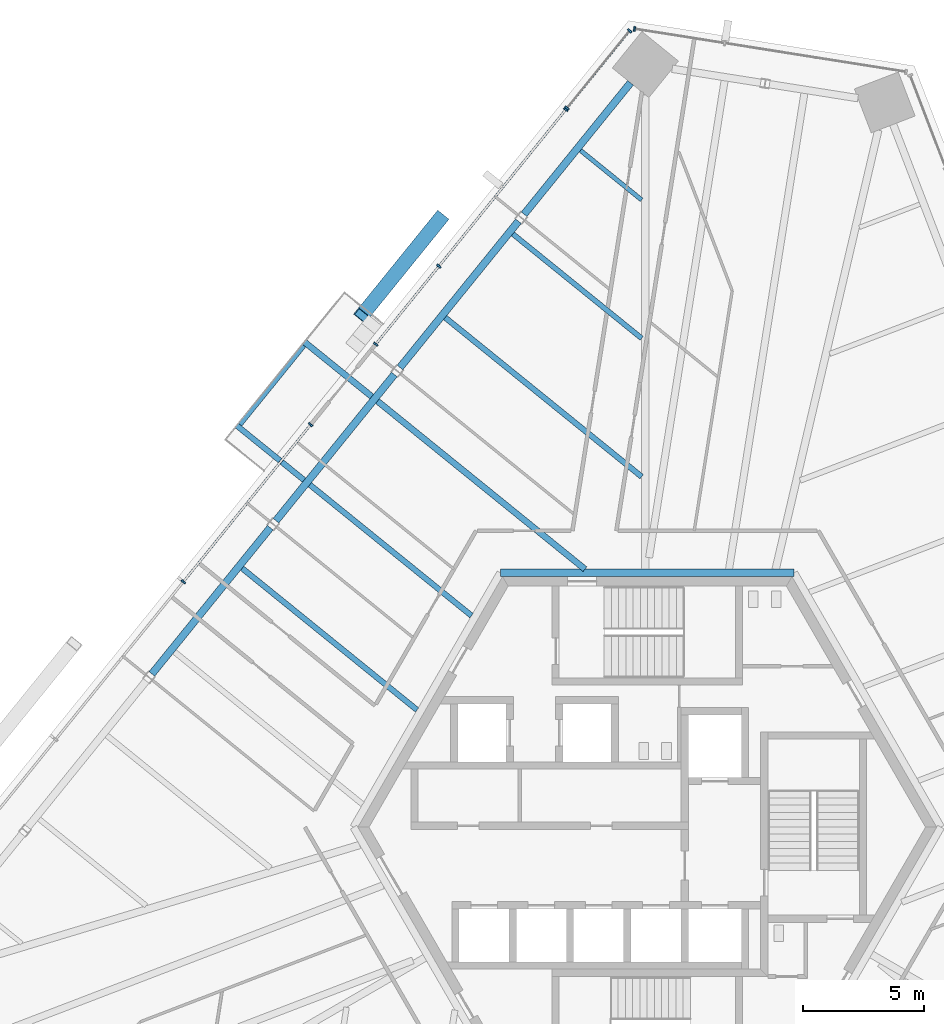
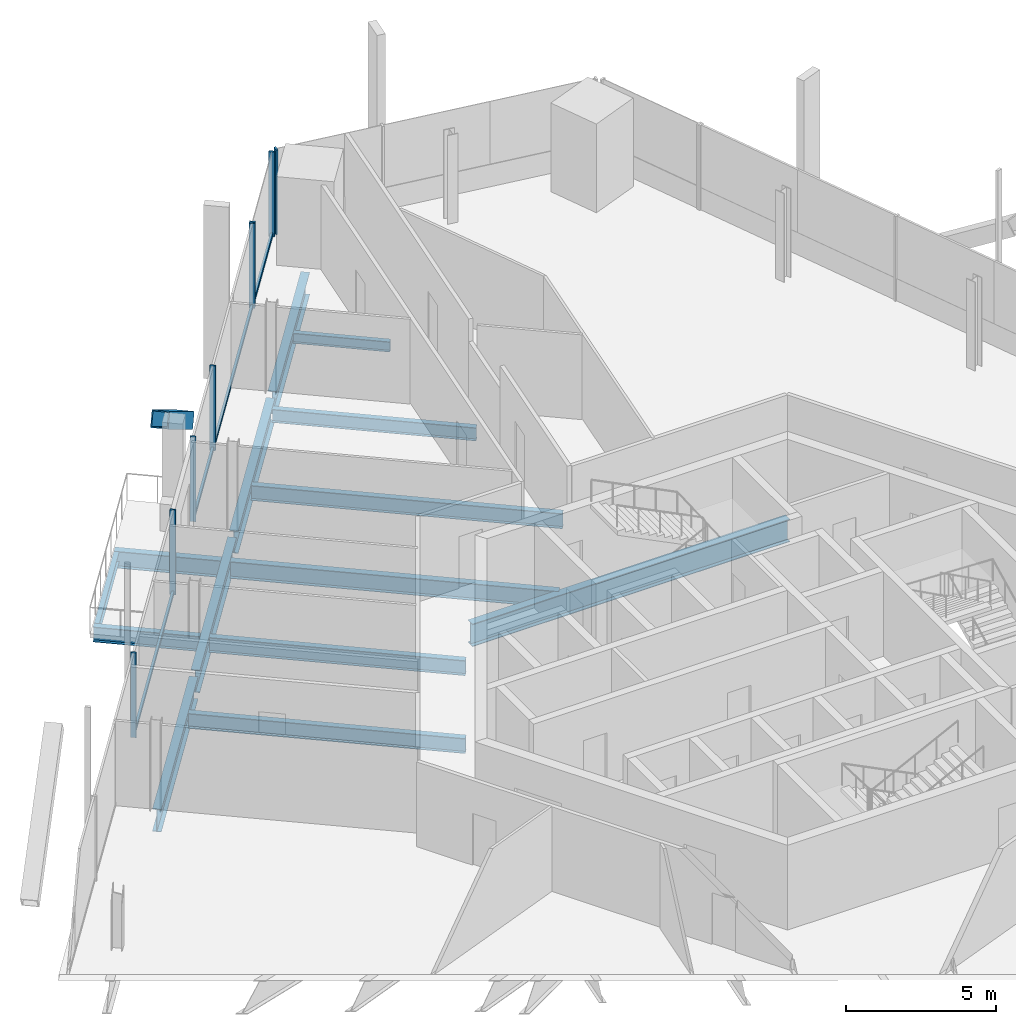
# One storey, part 8 of 21: 14 beams, 13 members, 4 elements without a shape of their own.
"""IFC4 building model written with IfcOpenShell, lengths in metres."""

from ifc_helpers import new_model, si_unit, direction, frame, origin, origin_2d, place, context, subcontext, project, spatial, rectangle, hollow_rectangle, i_section, extrude, source, transform, mapped, material, material_profile, profile_set, type_object, element, aggregate, save


model = new_model("IFC4")

# Units and contexts
model_context = context("Model", 3, precision=1e-05, world=origin(), true_north=direction((0.0, 1.0)))
body_context = subcontext(model_context, "Body", "Model", "MODEL_VIEW")
ifc_project = project(units=[si_unit("LENGTHUNIT", "METRE"), si_unit("AREAUNIT", "SQUARE_METRE"), si_unit("VOLUMEUNIT", "CUBIC_METRE"), si_unit("PLANEANGLEUNIT", "RADIAN"), si_unit("MASSUNIT", "GRAM", prefix="KILO")], contexts=[model_context])

# Site, building, storey
site_placement = place(None, origin())
site = spatial("IfcSite", under=ifc_project, at=site_placement, CompositionType="ELEMENT")
building_placement = place(site_placement, origin())
building = spatial("IfcBuilding", under=site, at=building_placement, Name="Triune Harvest Tower", CompositionType="ELEMENT")
storey_placement = place(building_placement, frame((0.0, 0.0, 146.10009765625)))
storey = spatial("IfcBuildingStorey", under=building, at=storey_placement, Name="L37", CompositionType="ELEMENT", Elevation=146.10009765625)

# Curtain wall, member
ifc_material_1 = material(Name="Aluminium bronze anodised", Category="aluminium")
curtain_wall_type_1 = type_object("IfcCurtainWallType", Name="CW-10 Balcony window wall with insulated spandrel infill", PredefinedType="NOTDEFINED", material=ifc_material_1)
curtain_wall_1_placement = place(storey_placement, origin())
curtain_wall_1 = element("IfcCurtainWall", 1, at=curtain_wall_1_placement, inside=storey, type_object=curtain_wall_type_1, Name="CW-10 B4-F3 L37 run 1001")
ifc_material_2 = material(Name="Aluminium bronze anodised", Category="aluminium")
ifc_material_profile_1 = material_profile(ifc_material_2, rectangle(XDim=0.090087890625, YDim=0.14990234375, at=origin_2d()), Name="TR-6 transom 90 x 150")
ifc_profile_set_1 = profile_set([ifc_material_profile_1], Name="Aluminium bronze anodised")
member_type_1 = type_object("IfcMemberType", Name="TR-6 transom 90 x 150", PredefinedType="USERDEFINED", material=ifc_profile_set_1)
member_1_placement = place(storey_placement, frame((-8.660888671875, 23.23095703125, 0.074951171875), z_axis=(-0.629354631927, -0.777118232492, 0.0), x_axis=(0.777118232492, -0.629354631927, 0.0)))
member_1 = element("IfcMember", 2, at=member_1_placement, type_object=member_type_1, Name="CW-10 transom B4-F3 1001.2", ObjectType="TRANSOM", PredefinedType="USERDEFINED", context=body_context, shape_type="SweptSolid", body=[
    extrude(rectangle(XDim=0.090087890625, YDim=0.14990234375, at=origin_2d()), origin(), (0.0, 0.0, 1.0), 4.0859375),
])

# Beams
ifc_material_3 = material(Name="Steel ASTM A992 Gr 50", Category="steel")
ifc_material_profile_2 = material_profile(ifc_material_3, i_section(OverallWidth=0.3046875, OverallDepth=0.914306640625, WebThickness=0.0166015625, FlangeThickness=0.02587890625, at=origin_2d()), Name="W36x160")
ifc_profile_set_2 = profile_set([ifc_material_profile_2], Name="Steel ASTM A992 Gr 50")
beam_type_1 = type_object("IfcBeamType", Name="CG-1 Core ring girder W36x160", PredefinedType="BEAM", material=ifc_profile_set_2)
shared_shape_1 = source(origin(), body_context, "Body", "SweptSolid", [
    extrude(i_section(OverallWidth=0.3046875, OverallDepth=0.914306640625, WebThickness=0.0166015625, FlangeThickness=0.02587890625, at=origin_2d()), origin(), (0.0, 0.0, 1.0), 12.17578125),
])
beam_1_placement = place(storey_placement, frame((6.087890625, 10.544677734375, -0.6171875), z_axis=(-1.0, 0.0, 0.0), x_axis=(0.0, -1.0, 0.0)))
element("IfcBeam", 3, at=beam_1_placement, inside=storey, type_object=beam_type_1, Name="beam/L37/CG2", PredefinedType="BEAM", context=body_context, shape_type="MappedRepresentation", body=[
    mapped(shared_shape_1, transform((0.0, 0.0, 0.0), scale=1.0)),
])
ifc_material_4 = material(Name="Steel ASTM A992 Gr 50", Category="steel")
ifc_material_profile_3 = material_profile(ifc_material_4, i_section(OverallWidth=0.3046875, OverallDepth=0.914306640625, WebThickness=0.0166015625, FlangeThickness=0.02587890625, at=origin_2d()), Name="W36x160")
ifc_profile_set_3 = profile_set([ifc_material_profile_3], Name="Steel ASTM A992 Gr 50")
beam_type_2 = type_object("IfcBeamType", Name="SB-1 Spandrel beam W36x160", PredefinedType="SPANDREL", material=ifc_profile_set_3)
shared_shape_2 = source(origin(), body_context, "Body", "SweptSolid", [
    extrude(i_section(OverallWidth=0.3046875, OverallDepth=0.914306640625, WebThickness=0.0166015625, FlangeThickness=0.02587890625, at=origin_2d()), origin(), (0.0, 0.0, 1.0), 7.013427734375),
])
beam_2_placement = place(storey_placement, frame((-0.69287109375, 30.8642578125, -0.6171875), z_axis=(-0.629311381255, -0.777153257358, 0.0), x_axis=(0.777153257358, -0.629311381255, 0.0)))
element("IfcBeam", 4, at=beam_2_placement, inside=storey, type_object=beam_type_2, Name="beam/L37/SB9", PredefinedType="SPANDREL", context=body_context, shape_type="MappedRepresentation", body=[
    mapped(shared_shape_2, transform((0.0, 0.0, 0.0), scale=1.0)),
])
shared_shape_3 = source(origin(), body_context, "Body", "SweptSolid", [
    extrude(i_section(OverallWidth=0.3046875, OverallDepth=0.914306640625, WebThickness=0.0166015625, FlangeThickness=0.02587890625, at=origin_2d()), origin(), (0.0, 0.0, 1.0), 7.801513671875),
])
for number, where, z_axis, x_axis, name in (
    (5, (-5.34130859375, 25.12353515625, -0.6171875), (-0.629351256413, -0.777120966163, 0.0), (0.777120966163, -0.629351256413, 0.0), "beam/L37/SB10"),
    (6, (-10.486083984375, 18.7705078125, -0.6171875), (-0.629317051779, -0.777148665533, 0.0), (0.777148665533, -0.629317051779, 0.0), "beam/L37/SB11"),
    (7, (-15.630859375, 12.417236328125, -0.6171875), (-0.629317051779, -0.777148665533, 0.0), (0.777148665533, -0.629317051779, 0.0), "beam/L37/SB12"),
):
    element("IfcBeam", number, at=place(storey_placement, frame(where, z_axis=z_axis, x_axis=x_axis)), inside=storey, type_object=beam_type_2, Name=name, PredefinedType="SPANDREL", context=body_context, shape_type="MappedRepresentation", body=[
        mapped(shared_shape_3, transform((0.0, 0.0, 0.0), scale=1.0)),
    ])
ifc_material_5 = material(Name="Steel ASTM A992 Gr 50", Category="steel")
ifc_material_profile_4 = material_profile(ifc_material_5, i_section(OverallWidth=0.22900390625, OverallDepth=0.612060546875, WebThickness=0.011962890625, FlangeThickness=0.01953125, at=origin_2d()), Name="W24x84")
ifc_profile_set_4 = profile_set([ifc_material_profile_4], Name="Steel ASTM A992 Gr 50")
beam_type_3 = type_object("IfcBeamType", Name="JT-3 Floor joist W24x84", PredefinedType="JOIST", material=ifc_profile_set_4)
shared_shape_4 = source(origin(), body_context, "Body", "SweptSolid", [
    extrude(i_section(OverallWidth=0.22900390625, OverallDepth=0.612060546875, WebThickness=0.011962890625, FlangeThickness=0.01953125, at=origin_2d()), origin(), (0.0, 0.0, 1.0), 10.482666015625),
])
beam_3_placement = place(storey_placement, frame((-8.37939453125, 21.1298828125, -0.46630859375), z_axis=(0.777144521909, -0.62932216874, 0.0), x_axis=(0.62932216874, 0.777144521909, 0.0)))
element("IfcBeam", 8, at=beam_3_placement, inside=storey, type_object=beam_type_3, Name="beam/L37/JT15", PredefinedType="JOIST", context=body_context, shape_type="MappedRepresentation", body=[
    mapped(shared_shape_4, transform((0.0, 0.0, 0.0), scale=1.0)),
])
ifc_material_6 = material(Name="Steel ASTM A992 Gr 50", Category="steel")
ifc_material_profile_5 = material_profile(ifc_material_6, i_section(OverallWidth=0.180908203125, OverallDepth=0.41650390625, WebThickness=0.010986328125, FlangeThickness=0.01806640625, at=origin_2d()), Name="W16x57")
ifc_profile_set_5 = profile_set([ifc_material_profile_5], Name="Steel ASTM A992 Gr 50")
beam_type_4 = type_object("IfcBeamType", Name="JT-1 Floor joist W16x57", PredefinedType="JOIST", material=ifc_profile_set_5)
shared_shape_5 = source(origin(), body_context, "Body", "SweptSolid", [
    extrude(i_section(OverallWidth=0.180908203125, OverallDepth=0.41650390625, WebThickness=0.010986328125, FlangeThickness=0.01806640625, at=origin_2d()), origin(), (0.0, 0.0, 1.0), 3.2607421875),
])
beam_4_placement = place(storey_placement, frame((-2.76708984375, 28.060546875, -0.368408203125), z_axis=(0.777166403411, -0.6292951465, 0.0), x_axis=(0.6292951465, 0.777166403411, 0.0)))
element("IfcBeam", 9, at=beam_4_placement, inside=storey, type_object=beam_type_4, Name="beam/L37/JT13", PredefinedType="JOIST", context=body_context, shape_type="MappedRepresentation", body=[
    mapped(shared_shape_5, transform((0.0, 0.0, 0.0), scale=1.0)),
])
ifc_material_7 = material(Name="Steel ASTM A992 Gr 50", Category="steel")
ifc_material_profile_6 = material_profile(ifc_material_7, i_section(OverallWidth=0.2099609375, OverallDepth=0.535888671875, WebThickness=0.010986328125, FlangeThickness=0.017333984375, at=origin_2d()), Name="W21x68")
ifc_profile_set_6 = profile_set([ifc_material_profile_6], Name="Steel ASTM A992 Gr 50")
beam_type_5 = type_object("IfcBeamType", Name="JT-2 Floor joist W21x68", PredefinedType="JOIST", material=ifc_profile_set_6)
shared_shape_6 = source(origin(), body_context, "Body", "SweptSolid", [
    extrude(i_section(OverallWidth=0.2099609375, OverallDepth=0.535888671875, WebThickness=0.010986328125, FlangeThickness=0.017333984375, at=origin_2d()), origin(), (0.0, 0.0, 1.0), 6.87158203125),
])
beam_5_placement = place(storey_placement, frame((-5.572998046875, 24.59521484375, -0.427978515625), z_axis=(0.777135642445, -0.629333133755, 0.0), x_axis=(0.629333133755, 0.777135642445, 0.0)))
element("IfcBeam", 10, at=beam_5_placement, inside=storey, type_object=beam_type_5, Name="beam/L37/JT14", PredefinedType="JOIST", context=body_context, shape_type="MappedRepresentation", body=[
    mapped(shared_shape_6, transform((0.0, 0.0, 0.0), scale=1.0)),
])
ifc_material_8 = material(Name="Steel ASTM A992 Gr 50", Category="steel")
ifc_material_profile_7 = material_profile(ifc_material_8, i_section(OverallWidth=0.253662109375, OverallDepth=0.683349609375, WebThickness=0.012451171875, FlangeThickness=0.01904296875, at=origin_2d()), Name="W27x94")
ifc_profile_set_7 = profile_set([ifc_material_profile_7], Name="Steel ASTM A992 Gr 50")
beam_type_6 = type_object("IfcBeamType", Name="JT-4 Floor joist W27x94", PredefinedType="JOIST", material=ifc_profile_set_7)
shared_shape_7 = source(origin(), body_context, "Body", "SweptSolid", [
    extrude(i_section(OverallWidth=0.253662109375, OverallDepth=0.683349609375, WebThickness=0.012451171875, FlangeThickness=0.01904296875, at=origin_2d()), origin(), (0.0, 0.0, 1.0), 11.0712890625),
])
beam_6_placement = place(storey_placement, frame((-11.185546875, 17.66455078125, -0.501708984375), z_axis=(0.777139586487, -0.6293282634, 0.0), x_axis=(0.6293282634, 0.777139586487, 0.0)))
element("IfcBeam", 11, at=beam_6_placement, inside=storey, type_object=beam_type_6, Name="beam/L37/JT16", PredefinedType="JOIST", context=body_context, shape_type="MappedRepresentation", body=[
    mapped(shared_shape_7, transform((0.0, 0.0, 0.0), scale=1.0)),
])
shared_shape_8 = source(origin(), body_context, "Body", "SweptSolid", [
    extrude(i_section(OverallWidth=0.22900390625, OverallDepth=0.612060546875, WebThickness=0.011962890625, FlangeThickness=0.01953125, at=origin_2d()), origin(), (0.0, 0.0, 1.0), 8.6259765625),
])
beam_7_placement = place(storey_placement, frame((-13.99169921875, 14.19921875, -0.46630859375), z_axis=(0.777146653343, -0.629319536641, 0.0), x_axis=(0.629319536641, 0.777146653343, 0.0)))
element("IfcBeam", 12, at=beam_7_placement, inside=storey, type_object=beam_type_3, Name="beam/L37/JT17", PredefinedType="JOIST", context=body_context, shape_type="MappedRepresentation", body=[
    mapped(shared_shape_8, transform((0.0, 0.0, 0.0), scale=1.0)),
])
shared_shape_9 = source(origin(), body_context, "Body", "SweptSolid", [
    extrude(i_section(OverallWidth=0.22900390625, OverallDepth=0.612060546875, WebThickness=0.011962890625, FlangeThickness=0.01953125, at=origin_2d()), origin(), (0.0, 0.0, 1.0), 9.33251953125),
])
beam_8_placement = place(storey_placement, frame((-16.798095703125, 10.73388671875, -0.46630859375), z_axis=(0.777149214732, -0.629316373568, 0.0), x_axis=(0.629316373568, 0.777149214732, 0.0)))
element("IfcBeam", 13, at=beam_8_placement, inside=storey, type_object=beam_type_3, Name="beam/L37/JT18", PredefinedType="JOIST", context=body_context, shape_type="MappedRepresentation", body=[
    mapped(shared_shape_9, transform((0.0, 0.0, 0.0), scale=1.0)),
])

# Member
ifc_material_9 = material(Name="Steel ASTM A572 Gr 50", Category="steel")
ifc_material_profile_8 = material_profile(ifc_material_9, hollow_rectangle(XDim=0.60009765625, YDim=0.60009765625, WallThickness=0.0400390625, at=origin_2d()), Name="Box 600x600x40")
ifc_profile_set_8 = profile_set([ifc_material_profile_8], Name="Steel ASTM A572 Gr 50")
member_type_2 = type_object("IfcMemberType", Name="BR-2 Brace Box 600x600x40", PredefinedType="BRACE", material=ifc_profile_set_8)
shared_shape_10 = source(origin(), body_context, "Body", "SweptSolid", [
    extrude(hollow_rectangle(XDim=0.60009765625, YDim=0.60009765625, WallThickness=0.0400390625, at=origin_2d()), origin(), (0.0, 0.0, 1.0), 6.328857421875),
])
member_2_placement = place(storey_placement, frame((-8.56103515625, 25.26123046875, 0.0), z_axis=(-0.517601864929, -0.639190855706, 0.568791138647), x_axis=(0.777148746815, -0.629316951404, 0.0)))
element("IfcMember", 14, at=member_2_placement, inside=storey, type_object=member_type_2, Name="brace/B4-F3/d1/3", PredefinedType="BRACE", context=body_context, shape_type="MappedRepresentation", body=[
    mapped(shared_shape_10, transform((0.0, 0.0, 0.0), scale=1.0)),
])

# Curtain wall, member
ifc_material_10 = material(Name="Aluminium bronze anodised", Category="aluminium")
curtain_wall_type_2 = type_object("IfcCurtainWallType", Name="CW-1 Tower stick curtain wall", PredefinedType="NOTDEFINED", material=ifc_material_10)
curtain_wall_2_placement = place(storey_placement, origin())
curtain_wall_2 = element("IfcCurtainWall", 15, at=curtain_wall_2_placement, inside=storey, type_object=curtain_wall_type_2, Name="CW-1 B4-F2 L37 run 1")
ifc_material_11 = material(Name="Aluminium bronze anodised", Category="aluminium")
ifc_material_profile_9 = material_profile(ifc_material_11, rectangle(XDim=0.199951171875, YDim=0.074951171875, at=origin_2d()), Name="MU-1 mullion 75 x 200")
ifc_profile_set_9 = profile_set([ifc_material_profile_9], Name="Aluminium bronze anodised")
member_type_3 = type_object("IfcMemberType", Name="MU-1 mullion 75 x 200", PredefinedType="MULLION", material=ifc_profile_set_9)
shared_shape_11 = source(origin(), body_context, "Body", "SweptSolid", [
    extrude(rectangle(XDim=0.199951171875, YDim=0.074951171875, at=origin_2d()), origin(), (0.0, 0.0, 1.0), 3.43994140625),
])
member_3_placement = place(storey_placement, frame((-0.528076171875, 33.09912109375, 0.0), z_axis=(0.0, 0.0, 1.0), x_axis=(-0.156432728322, -0.987688615663, 0.0)))
member_3 = element("IfcMember", 16, at=member_3_placement, type_object=member_type_3, Name="CW-1 mullion B4-F2 1.4", PredefinedType="MULLION", context=body_context, shape_type="MappedRepresentation", body=[
    mapped(shared_shape_11, transform((0.0, 0.0, 0.0), scale=1.0)),
])
aggregate(curtain_wall_2, [member_3])

# Curtain wall, members
ifc_material_12 = material(Name="Aluminium bronze anodised", Category="aluminium")
curtain_wall_type_3 = type_object("IfcCurtainWallType", Name="CW-6 Balcony window wall", PredefinedType="NOTDEFINED", material=ifc_material_12)
curtain_wall_3_placement = place(storey_placement, origin())
curtain_wall_3 = element("IfcCurtainWall", 17, at=curtain_wall_3_placement, inside=storey, type_object=curtain_wall_type_3, Name="CW-6 B4-F3 L37 run 1")
ifc_material_13 = material(Name="Aluminium bronze anodised", Category="aluminium")
ifc_material_profile_10 = material_profile(ifc_material_13, rectangle(XDim=0.199951171875, YDim=0.074951171875, at=origin_2d()), Name="MU-6 mullion 75 x 200")
ifc_profile_set_10 = profile_set([ifc_material_profile_10], Name="Aluminium bronze anodised")
member_type_4 = type_object("IfcMemberType", Name="MU-6 mullion 75 x 200", PredefinedType="MULLION", material=ifc_profile_set_10)
shared_shape_12 = source(origin(), body_context, "Body", "SweptSolid", [
    extrude(rectangle(XDim=0.199951171875, YDim=0.074951171875, at=origin_2d()), origin(), (0.0, 0.0, 1.0), 3.43994140625),
])
member_4_placement = place(storey_placement, frame((-0.734130859375, 33.02001953125, 0.0), z_axis=(0.0, 0.0, 1.0), x_axis=(0.777149381818, -0.629316167233, 0.0)))
member_4 = element("IfcMember", 18, at=member_4_placement, type_object=member_type_4, Name="CW-6 mullion B4-F3 1.1", PredefinedType="MULLION", context=body_context, shape_type="MappedRepresentation", body=[
    mapped(shared_shape_12, transform((0.0, 0.0, 0.0), scale=1.0)),
])
member_5_placement = place(storey_placement, frame((-3.3291015625, 29.815185546875, 0.0), z_axis=(0.0, 0.0, 1.0), x_axis=(0.777149381818, -0.629316167233, 0.0)))
member_5 = element("IfcMember", 19, at=member_5_placement, type_object=member_type_4, Name="CW-6 mullion B4-F3 1.2", PredefinedType="MULLION", context=body_context, shape_type="MappedRepresentation", body=[
    mapped(shared_shape_12, transform((0.0, 0.0, 0.0), scale=1.0)),
])

# Member
member_6_placement = place(storey_placement, frame((-3.37646484375, 29.7568359375, 0.0), z_axis=(0.0, 0.0, 1.0), x_axis=(0.777143668151, -0.629323223036, 0.0)))
member_6 = element("IfcMember", 20, at=member_6_placement, type_object=member_type_4, Name="CW-10 mullion B4-F3 1001.1", PredefinedType="MULLION", context=body_context, shape_type="MappedRepresentation", body=[
    mapped(shared_shape_12, transform((0.0, 0.0, 0.0), scale=1.0)),
])

member_7_placement = place(storey_placement, frame((-8.637451171875, 23.26025390625, 0.0), z_axis=(0.0, 0.0, 1.0), x_axis=(0.777143668151, -0.629323223036, 0.0)))
member_7 = element("IfcMember", 21, at=member_7_placement, type_object=member_type_4, Name="CW-10 mullion B4-F3 1001.3", PredefinedType="MULLION", context=body_context, shape_type="MappedRepresentation", body=[
    mapped(shared_shape_12, transform((0.0, 0.0, 0.0), scale=1.0)),
])

member_8_placement = place(storey_placement, frame((-11.256103515625, 20.0263671875, 0.0), z_axis=(0.0, 0.0, 1.0), x_axis=(0.777143668151, -0.629323223036, 0.0)))
member_8 = element("IfcMember", 22, at=member_8_placement, type_object=member_type_4, Name="CW-10 mullion B4-F3 1001.4", PredefinedType="MULLION", context=body_context, shape_type="MappedRepresentation", body=[
    mapped(shared_shape_12, transform((0.0, 0.0, 0.0), scale=1.0)),
])

# Curtain wall, members
curtain_wall_4_placement = place(storey_placement, origin())
curtain_wall_4 = element("IfcCurtainWall", 23, at=curtain_wall_4_placement, inside=storey, type_object=curtain_wall_type_1, Name="CW-10 B4-F3 L37 run 2")
member_9_placement = place(storey_placement, frame((-13.959716796875, 16.687744140625, 0.0), z_axis=(0.0, 0.0, 1.0), x_axis=(0.777144899276, -0.629321702732, 0.0)))
member_9 = element("IfcMember", 24, at=member_9_placement, type_object=member_type_4, Name="CW-10 mullion B4-F3 2.1", PredefinedType="MULLION", context=body_context, shape_type="MappedRepresentation", body=[
    mapped(shared_shape_12, transform((0.0, 0.0, 0.0), scale=1.0)),
])
member_10_placement = place(storey_placement, frame((-19.23291015625, 10.176025390625, 0.0), z_axis=(0.0, 0.0, 1.0), x_axis=(0.777144899276, -0.629321702732, 0.0)))
member_10 = element("IfcMember", 25, at=member_10_placement, type_object=member_type_4, Name="CW-10 mullion B4-F3 2.3", PredefinedType="MULLION", context=body_context, shape_type="MappedRepresentation", body=[
    mapped(shared_shape_12, transform((0.0, 0.0, 0.0), scale=1.0)),
])

# Beams
ifc_material_14 = material(Name="Steel ASTM A992 Gr 50", Category="steel")
ifc_material_profile_11 = material_profile(ifc_material_14, i_section(OverallWidth=0.253662109375, OverallDepth=0.683349609375, WebThickness=0.012451171875, FlangeThickness=0.01904296875, at=origin_2d()), Name="W27x94")
ifc_profile_set_11 = profile_set([ifc_material_profile_11], Name="Steel ASTM A992 Gr 50")
beam_type_7 = type_object("IfcBeamType", Name="BJ-4 Balcony cantilever joist W27x94", PredefinedType="JOIST", material=ifc_profile_set_11)
shared_shape_13 = source(origin(), body_context, "Body", "SweptSolid", [
    extrude(i_section(OverallWidth=0.253662109375, OverallDepth=0.683349609375, WebThickness=0.012451171875, FlangeThickness=0.01904296875, at=origin_2d()), origin(), (0.0, 0.0, 1.0), 3.59765625),
])
beam_9_placement = place(storey_placement, frame((-11.422607421875, 17.856201171875, -0.501708984375), z_axis=(-0.777134237383, 0.629334868799, 0.0), x_axis=(-0.629334868799, -0.777134237383, 0.0)))
element("IfcBeam", 26, at=beam_9_placement, inside=storey, type_object=beam_type_7, Name="Balcony cantilever joist B4-F3 L37.5a", PredefinedType="JOIST", context=body_context, shape_type="MappedRepresentation", body=[
    mapped(shared_shape_13, transform((0.0, 0.0, 0.0), scale=1.0)),
])
ifc_material_15 = material(Name="Steel ASTM A992 Gr 50", Category="steel")
ifc_material_profile_12 = material_profile(ifc_material_15, i_section(OverallWidth=0.22900390625, OverallDepth=0.612060546875, WebThickness=0.011962890625, FlangeThickness=0.01953125, at=origin_2d()), Name="W24x84")
ifc_profile_set_12 = profile_set([ifc_material_profile_12], Name="Steel ASTM A992 Gr 50")
beam_type_8 = type_object("IfcBeamType", Name="BJ-3 Balcony cantilever joist W24x84", PredefinedType="JOIST", material=ifc_profile_set_12)
shared_shape_14 = source(origin(), body_context, "Body", "SweptSolid", [
    extrude(i_section(OverallWidth=0.22900390625, OverallDepth=0.612060546875, WebThickness=0.011962890625, FlangeThickness=0.01953125, at=origin_2d()), origin(), (0.0, 0.0, 1.0), 3.59765625),
])
beam_10_placement = place(storey_placement, frame((-14.228515625, 14.39111328125, -0.46630859375), z_axis=(-0.777194298962, 0.629260694515, 0.0), x_axis=(-0.629260694515, -0.777194298962, 0.0)))
element("IfcBeam", 27, at=beam_10_placement, inside=storey, type_object=beam_type_8, Name="Balcony cantilever joist B4-F3 L37.5b", PredefinedType="JOIST", context=body_context, shape_type="MappedRepresentation", body=[
    mapped(shared_shape_14, transform((0.0, 0.0, 0.0), scale=1.0)),
])

# Member
shared_shape_15 = source(origin(), body_context, "Body", "SweptSolid", [
    extrude(rectangle(XDim=0.090087890625, YDim=0.14990234375, at=origin_2d()), origin(), (0.0, 0.0, 1.0), 4.048583984375),
])
member_11_placement = place(storey_placement, frame((-0.7578125, 32.99072265625, 0.074951171875), z_axis=(-0.629331796708, -0.777136725199, 0.0), x_axis=(0.777136725199, -0.629331796708, 0.0)))
member_11 = element("IfcMember", 28, at=member_11_placement, type_object=member_type_1, Name="CW-6 transom B4-F3 1.1", ObjectType="TRANSOM", PredefinedType="USERDEFINED", context=body_context, shape_type="MappedRepresentation", body=[
    mapped(shared_shape_15, transform((0.0, 0.0, 0.0), scale=1.0)),
])

aggregate(curtain_wall_3, [member_4, member_5, member_11])

shared_shape_16 = source(origin(), body_context, "Body", "SweptSolid", [
    extrude(rectangle(XDim=0.090087890625, YDim=0.14990234375, at=origin_2d()), origin(), (0.0, 0.0, 1.0), 8.284912109375),
])
member_12_placement = place(storey_placement, frame((-3.39990234375, 29.727783203125, 0.074951171875), z_axis=(-0.629327073612, -0.777140549977, 0.0), x_axis=(0.777140549977, -0.629327073612, 0.0)))
member_12 = element("IfcMember", 29, at=member_12_placement, type_object=member_type_1, Name="CW-10 transom B4-F3 1001.1", ObjectType="TRANSOM", PredefinedType="USERDEFINED", context=body_context, shape_type="MappedRepresentation", body=[
    mapped(shared_shape_16, transform((0.0, 0.0, 0.0), scale=1.0)),
])

aggregate(curtain_wall_1, [member_6, member_7, member_8, member_12, member_1])

# Beam
ifc_material_16 = material(Name="Steel ASTM A992 Gr 50", Category="steel")
ifc_material_profile_13 = material_profile(ifc_material_16, i_section(OverallWidth=0.180908203125, OverallDepth=0.41650390625, WebThickness=0.010986328125, FlangeThickness=0.01806640625, at=origin_2d()), Name="W16x57")
ifc_profile_set_13 = profile_set([ifc_material_profile_13], Name="Steel ASTM A992 Gr 50")
beam_type_9 = type_object("IfcBeamType", Name="BE-1 balcony edge beam W16x57", PredefinedType="BEAM", material=ifc_profile_set_13)
shared_shape_17 = source(origin(), body_context, "Body", "SweptSolid", [
    extrude(i_section(OverallWidth=0.180908203125, OverallDepth=0.41650390625, WebThickness=0.010986328125, FlangeThickness=0.01806640625, at=origin_2d()), origin(), (0.0, 0.0, 1.0), 4.217529296875),
])
beam_11_placement = place(storey_placement, frame((-16.882080078125, 16.687255859375, -0.368408203125), z_axis=(0.62930813162, 0.777155888787, 0.0), x_axis=(-0.777155888787, 0.62930813162, 0.0)))
element("IfcBeam", 30, at=beam_11_placement, inside=storey, type_object=beam_type_9, Name="Balcony edge beam B4-F3 L37.5", PredefinedType="BEAM", context=body_context, shape_type="MappedRepresentation", body=[
    mapped(shared_shape_17, transform((0.0, 0.0, 0.0), scale=1.0)),
])

# Member
shared_shape_18 = source(origin(), body_context, "Body", "SweptSolid", [
    extrude(rectangle(XDim=0.090087890625, YDim=0.14990234375, at=origin_2d()), origin(), (0.0, 0.0, 1.0), 8.303955078125),
])
member_13_placement = place(storey_placement, frame((-13.9833984375, 16.658447265625, 0.074951171875), z_axis=(-0.629320011955, -0.777146268442, 0.0), x_axis=(0.777146268442, -0.629320011955, 0.0)))
member_13 = element("IfcMember", 31, at=member_13_placement, type_object=member_type_1, Name="CW-10 transom B4-F3 2.1", ObjectType="TRANSOM", PredefinedType="USERDEFINED", context=body_context, shape_type="MappedRepresentation", body=[
    mapped(shared_shape_18, transform((0.0, 0.0, 0.0), scale=1.0)),
])

aggregate(curtain_wall_4, [member_9, member_10, member_13])

save(model, "model.ifc")
